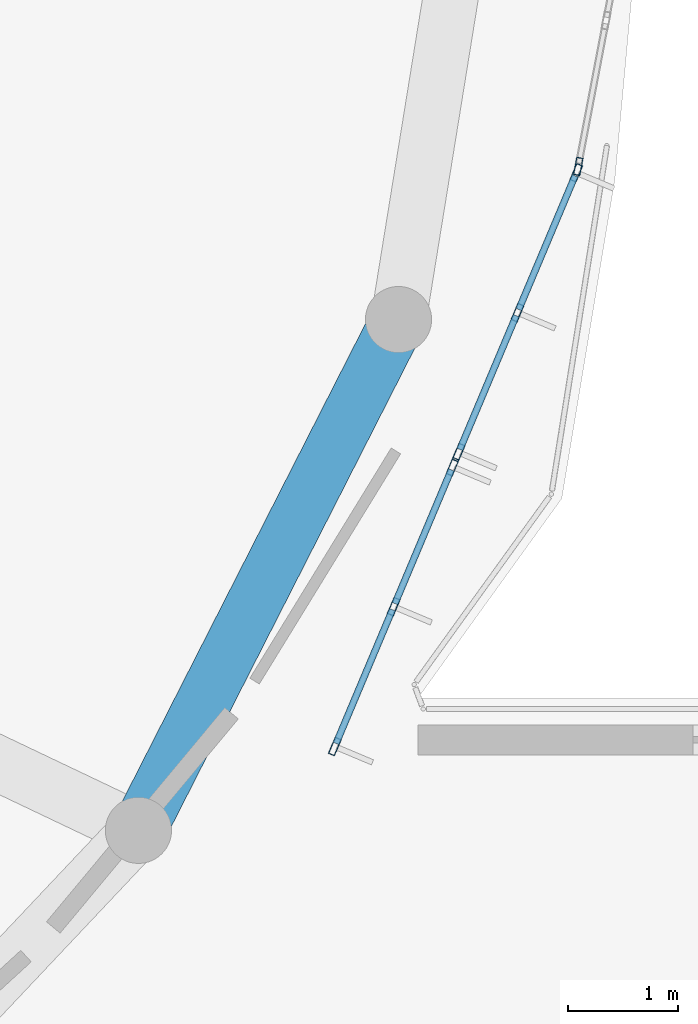
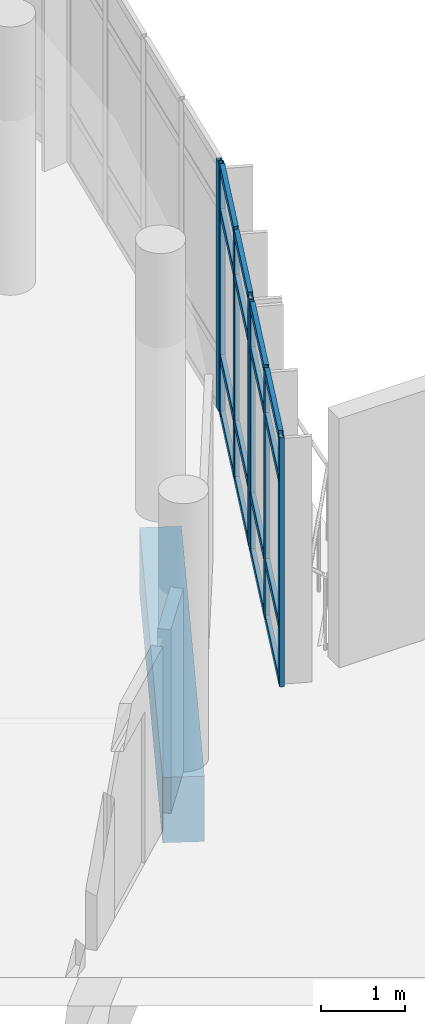
# One storey, part 31 of 74: 23 members, 1 beam, 3 elements without a shape of their own.
"""IFC4 building model written with IfcOpenShell, lengths in metres."""

from ifc_helpers import new_model, si_unit, derived_unit, direction, frame, origin, origin_2d, place, context, subcontext, project, spatial, rectangle, hollow_rectangle, extrude, material, layer, layer_set, material_profile, profile_set, type_object, element, aggregate, save


model = new_model("IFC4")

# Units and contexts
model_context = context("Model", 3, precision=1e-05, world=origin(), true_north=direction((0.0, 1.0)))
body_context = subcontext(model_context, "Body", "Model", "MODEL_VIEW")
ifc_project = project(units=[si_unit("LENGTHUNIT", "METRE"), si_unit("AREAUNIT", "SQUARE_METRE"), si_unit("VOLUMEUNIT", "CUBIC_METRE"), si_unit("PLANEANGLEUNIT", "RADIAN"), si_unit("MASSUNIT", "GRAM", prefix="KILO"), derived_unit("THERMALTRANSMITTANCEUNIT", [(si_unit("POWERUNIT", "WATT"), 1), (si_unit("LENGTHUNIT", "METRE"), -2), (si_unit("THERMODYNAMICTEMPERATUREUNIT", "KELVIN"), -1)])], contexts=[model_context])

# Site, building, storey
site_placement = place(None, origin())
site = spatial("IfcSite", under=ifc_project, at=site_placement, CompositionType="ELEMENT")
building_placement = place(site_placement, origin())
building = spatial("IfcBuilding", under=site, at=building_placement, Name="Elbkamm Science Centre", CompositionType="ELEMENT")
storey_placement = place(building_placement, frame((0.0, 0.0, 14.39990234375)))
storey = spatial("IfcBuildingStorey", under=building, at=storey_placement, Name="L03", CompositionType="ELEMENT", Elevation=14.39990234375)

# Beam
ifc_material_1 = material(Name="Concrete C40/50", Category="concrete")
ifc_material_profile_1 = material_profile(ifc_material_1, rectangle(XDim=0.5, YDim=0.949951171875, at=origin_2d()), Name="RC 500x950")
ifc_profile_set_1 = profile_set([ifc_material_profile_1], Name="Concrete C40/50")
beam_type = type_object("IfcBeamType", Name="BM-RC-500x950", PredefinedType="BEAM", material=ifc_profile_set_1)
beam_placement = place(storey_placement, frame((83.43798828125, 57.60009765625, -0.7548828125), z_axis=(0.45374138036, 0.891133412991, 0.0), x_axis=(-0.891133412991, 0.45374138036, 0.0)))
element("IfcBeam", 1, at=beam_placement, inside=storey, type_object=beam_type, Name="L03 Elliptical Shell Perimeter Ring Beam 23", PredefinedType="SPANDREL", context=body_context, shape_type="SweptSolid", body=[
    extrude(rectangle(XDim=0.5, YDim=0.949951171875, at=origin_2d()), origin(), (0.0, 0.0, 1.0), 5.196533203125),
])

# Curtain wall, members
ifc_material_2 = material(Name="Powder-coated aluminium and triple low-E glazing", Category="aluminium")
ifc_layer_1 = layer(ifc_material_2, 0.159912109375)
ifc_layer_set_1 = layer_set([ifc_layer_1], Name="Powder-coated aluminium and triple low-E glazing")
curtain_wall_type_1 = type_object("IfcCurtainWallType", Name="CW-UNIT-2820x3620", PredefinedType="USERDEFINED", material=ifc_layer_set_1)
curtain_wall_1_placement = place(storey_placement, origin())
curtain_wall_1 = element("IfcCurtainWall", 2, at=curtain_wall_1_placement, inside=storey, type_object=curtain_wall_type_1, Name="L03 Unitised Curtain Wall 072", ObjectType="UNITISED CURTAIN WALL", PredefinedType="USERDEFINED")
ifc_material_3 = material(Name="Powder-coated aluminium EN AW-6060", Category="aluminium")
ifc_material_profile_2 = material_profile(ifc_material_3, hollow_rectangle(XDim=0.06005859375, YDim=0.159912109375, WallThickness=0.00390625, at=origin_2d()), Name="ALU M60x160")
ifc_profile_set_2 = profile_set([ifc_material_profile_2], Name="Powder-coated aluminium EN AW-6060")
member_type_1 = type_object("IfcMemberType", Name="CW-MUL-60x160", PredefinedType="MULLION", material=ifc_profile_set_2)
member_1_placement = place(storey_placement, frame((85.218505859375, 58.360107421875, 0.0), z_axis=(0.0, 0.0, 1.0), x_axis=(-0.921676870358, 0.387958434175, 0.0)))
member_1 = element("IfcMember", 3, at=member_1_placement, type_object=member_type_1, Name="CW-021 mullion 1", PredefinedType="MULLION", context=body_context, shape_type="SweptSolid", body=[
    extrude(hollow_rectangle(XDim=0.06005859375, YDim=0.159912109375, WallThickness=0.00390625, at=origin_2d()), origin(), (0.0, 0.0, 1.0), 3.6201171875),
])
member_2_placement = place(storey_placement, frame((85.752197265625, 59.62841796875, 0.0), z_axis=(0.0, 0.0, 1.0), x_axis=(-0.921676870358, 0.387958434175, 0.0)))
member_2 = element("IfcMember", 4, at=member_2_placement, type_object=member_type_1, Name="CW-021 mullion 2", PredefinedType="MULLION", context=body_context, shape_type="SweptSolid", body=[
    extrude(hollow_rectangle(XDim=0.06005859375, YDim=0.159912109375, WallThickness=0.00390625, at=origin_2d()), origin(), (0.0, 0.0, 1.0), 3.6201171875),
])
member_3_placement = place(storey_placement, frame((86.2861328125, 60.896728515625, 0.0), z_axis=(0.0, 0.0, 1.0), x_axis=(-0.921676870358, 0.387958434175, 0.0)))
member_3 = element("IfcMember", 5, at=member_3_placement, type_object=member_type_1, Name="CW-021 mullion 3", PredefinedType="MULLION", context=body_context, shape_type="SweptSolid", body=[
    extrude(hollow_rectangle(XDim=0.06005859375, YDim=0.159912109375, WallThickness=0.00390625, at=origin_2d()), origin(), (0.0, 0.0, 1.0), 3.6201171875),
])

curtain_wall_2_placement = place(storey_placement, origin())
curtain_wall_2 = element("IfcCurtainWall", 6, at=curtain_wall_2_placement, inside=storey, type_object=curtain_wall_type_1, Name="L03 Unitised Curtain Wall 073", ObjectType="UNITISED CURTAIN WALL", PredefinedType="USERDEFINED")
member_4_placement = place(storey_placement, frame((86.340576171875, 61.025634765625, 0.0), z_axis=(0.0, 0.0, 1.0), x_axis=(-0.921676870358, 0.387958434175, 0.0)))
member_4 = element("IfcMember", 7, at=member_4_placement, type_object=member_type_1, Name="CW-021 mullion 1", PredefinedType="MULLION", context=body_context, shape_type="SweptSolid", body=[
    extrude(hollow_rectangle(XDim=0.06005859375, YDim=0.159912109375, WallThickness=0.00390625, at=origin_2d()), origin(), (0.0, 0.0, 1.0), 3.6201171875),
])
member_5_placement = place(storey_placement, frame((86.87451171875, 62.2939453125, 0.0), z_axis=(0.0, 0.0, 1.0), x_axis=(-0.921676870358, 0.387958434175, 0.0)))
member_5 = element("IfcMember", 8, at=member_5_placement, type_object=member_type_1, Name="CW-021 mullion 2", PredefinedType="MULLION", context=body_context, shape_type="SweptSolid", body=[
    extrude(hollow_rectangle(XDim=0.06005859375, YDim=0.159912109375, WallThickness=0.00390625, at=origin_2d()), origin(), (0.0, 0.0, 1.0), 3.6201171875),
])
member_6_placement = place(storey_placement, frame((87.408203125, 63.562255859375, 0.0), z_axis=(0.0, 0.0, 1.0), x_axis=(-0.921676870358, 0.387958434175, 0.0)))
member_6 = element("IfcMember", 9, at=member_6_placement, type_object=member_type_1, Name="CW-021 mullion 3", PredefinedType="MULLION", context=body_context, shape_type="SweptSolid", body=[
    extrude(hollow_rectangle(XDim=0.06005859375, YDim=0.159912109375, WallThickness=0.00390625, at=origin_2d()), origin(), (0.0, 0.0, 1.0), 3.6201171875),
])

# Curtain wall, member
ifc_layer_2 = layer(ifc_material_2, 0.159912109375)
ifc_layer_set_2 = layer_set([ifc_layer_2], Name="Powder-coated aluminium and triple low-E glazing")
curtain_wall_type_2 = type_object("IfcCurtainWallType", Name="CW-UNIT-5500x3620", PredefinedType="USERDEFINED", material=ifc_layer_set_2)
curtain_wall_3_placement = place(storey_placement, origin())
curtain_wall_3 = element("IfcCurtainWall", 10, at=curtain_wall_3_placement, inside=storey, type_object=curtain_wall_type_2, Name="L03 Unitised Curtain Wall 074", ObjectType="UNITISED CURTAIN WALL", PredefinedType="USERDEFINED")
member_7_placement = place(storey_placement, frame((87.425537109375, 63.619384765625, 0.0), z_axis=(0.0, 0.0, 1.0), x_axis=(-0.982351119893, 0.187046190138, 0.0)))
member_7 = element("IfcMember", 11, at=member_7_placement, type_object=member_type_1, Name="CW-031 mullion 1", PredefinedType="MULLION", context=body_context, shape_type="SweptSolid", body=[
    extrude(hollow_rectangle(XDim=0.06005859375, YDim=0.159912109375, WallThickness=0.00390625, at=origin_2d()), origin(), (0.0, 0.0, 1.0), 3.6201171875),
])
aggregate(curtain_wall_3, [member_7])

# Member
ifc_material_profile_3 = material_profile(ifc_material_3, hollow_rectangle(XDim=0.06005859375, YDim=0.1201171875, WallThickness=0.00341796875, at=origin_2d()), Name="ALU T60x120")
ifc_profile_set_3 = profile_set([ifc_material_profile_3], Name="Powder-coated aluminium EN AW-6060")
member_type_2 = type_object("IfcMemberType", Name="CW-TRN-60x120", PredefinedType="USERDEFINED", material=ifc_profile_set_3)
member_8_placement = place(storey_placement, frame((85.22998046875, 58.3876953125, 0.030029296875), z_axis=(0.388023831647, 0.921649340082, 0.0), x_axis=(-0.921649340082, 0.388023831647, 0.0)))
member_8 = element("IfcMember", 12, at=member_8_placement, type_object=member_type_2, Name="CW-021 transom 1.1", ObjectType="TRANSOM", PredefinedType="USERDEFINED", context=body_context, shape_type="SweptSolid", body=[
    extrude(hollow_rectangle(XDim=0.06005859375, YDim=0.1201171875, WallThickness=0.00341796875, at=origin_2d()), origin(), (0.0, 0.0, 1.0), 1.316162109375),
])

member_9_placement = place(storey_placement, frame((85.22998046875, 58.3876953125, 0.85009765625), z_axis=(0.388023831647, 0.921649340082, 0.0), x_axis=(-0.921649340082, 0.388023831647, 0.0)))
member_9 = element("IfcMember", 13, at=member_9_placement, type_object=member_type_2, Name="CW-021 transom 1.2", ObjectType="TRANSOM", PredefinedType="USERDEFINED", context=body_context, shape_type="SweptSolid", body=[
    extrude(hollow_rectangle(XDim=0.06005859375, YDim=0.1201171875, WallThickness=0.00341796875, at=origin_2d()), origin(), (0.0, 0.0, 1.0), 1.316162109375),
])

member_10_placement = place(storey_placement, frame((85.22998046875, 58.3876953125, 2.97021484375), z_axis=(0.388023831647, 0.921649340082, 0.0), x_axis=(-0.921649340082, 0.388023831647, 0.0)))
member_10 = element("IfcMember", 14, at=member_10_placement, type_object=member_type_2, Name="CW-021 transom 1.3", ObjectType="TRANSOM", PredefinedType="USERDEFINED", context=body_context, shape_type="SweptSolid", body=[
    extrude(hollow_rectangle(XDim=0.06005859375, YDim=0.1201171875, WallThickness=0.00341796875, at=origin_2d()), origin(), (0.0, 0.0, 1.0), 1.316162109375),
])

member_11_placement = place(storey_placement, frame((85.22998046875, 58.3876953125, 3.590087890625), z_axis=(0.388023831647, 0.921649340082, 0.0), x_axis=(-0.921649340082, 0.388023831647, 0.0)))
member_11 = element("IfcMember", 15, at=member_11_placement, type_object=member_type_2, Name="CW-021 transom 1.4", ObjectType="TRANSOM", PredefinedType="USERDEFINED", context=body_context, shape_type="SweptSolid", body=[
    extrude(hollow_rectangle(XDim=0.06005859375, YDim=0.1201171875, WallThickness=0.00341796875, at=origin_2d()), origin(), (0.0, 0.0, 1.0), 1.316162109375),
])

member_12_placement = place(storey_placement, frame((85.763916015625, 59.656005859375, 0.030029296875), z_axis=(0.387866261103, 0.921715663042, 0.0), x_axis=(-0.921715663042, 0.387866261103, 0.0)))
member_12 = element("IfcMember", 16, at=member_12_placement, type_object=member_type_2, Name="CW-021 transom 2.1", ObjectType="TRANSOM", PredefinedType="USERDEFINED", context=body_context, shape_type="SweptSolid", body=[
    extrude(hollow_rectangle(XDim=0.06005859375, YDim=0.1201171875, WallThickness=0.00341796875, at=origin_2d()), origin(), (0.0, 0.0, 1.0), 1.316162109375),
])

member_13_placement = place(storey_placement, frame((85.763916015625, 59.656005859375, 0.85009765625), z_axis=(0.387866261103, 0.921715663042, 0.0), x_axis=(-0.921715663042, 0.387866261103, 0.0)))
member_13 = element("IfcMember", 17, at=member_13_placement, type_object=member_type_2, Name="CW-021 transom 2.2", ObjectType="TRANSOM", PredefinedType="USERDEFINED", context=body_context, shape_type="SweptSolid", body=[
    extrude(hollow_rectangle(XDim=0.06005859375, YDim=0.1201171875, WallThickness=0.00341796875, at=origin_2d()), origin(), (0.0, 0.0, 1.0), 1.316162109375),
])

member_14_placement = place(storey_placement, frame((85.763916015625, 59.656005859375, 2.97021484375), z_axis=(0.387866261103, 0.921715663042, 0.0), x_axis=(-0.921715663042, 0.387866261103, 0.0)))
member_14 = element("IfcMember", 18, at=member_14_placement, type_object=member_type_2, Name="CW-021 transom 2.3", ObjectType="TRANSOM", PredefinedType="USERDEFINED", context=body_context, shape_type="SweptSolid", body=[
    extrude(hollow_rectangle(XDim=0.06005859375, YDim=0.1201171875, WallThickness=0.00341796875, at=origin_2d()), origin(), (0.0, 0.0, 1.0), 1.316162109375),
])

member_15_placement = place(storey_placement, frame((85.763916015625, 59.656005859375, 3.590087890625), z_axis=(0.387866261103, 0.921715663042, 0.0), x_axis=(-0.921715663042, 0.387866261103, 0.0)))
member_15 = element("IfcMember", 19, at=member_15_placement, type_object=member_type_2, Name="CW-021 transom 2.4", ObjectType="TRANSOM", PredefinedType="USERDEFINED", context=body_context, shape_type="SweptSolid", body=[
    extrude(hollow_rectangle(XDim=0.06005859375, YDim=0.1201171875, WallThickness=0.00341796875, at=origin_2d()), origin(), (0.0, 0.0, 1.0), 1.316162109375),
])

aggregate(curtain_wall_1, [member_1, member_2, member_3, member_8, member_9, member_10, member_11, member_12, member_13, member_14, member_15])

member_16_placement = place(storey_placement, frame((86.352294921875, 61.053466796875, 0.030029296875), z_axis=(0.387932585701, 0.921687750245, 0.0), x_axis=(-0.921687750245, 0.387932585701, 0.0)))
member_16 = element("IfcMember", 20, at=member_16_placement, type_object=member_type_2, Name="CW-021 transom 1.1", ObjectType="TRANSOM", PredefinedType="USERDEFINED", context=body_context, shape_type="SweptSolid", body=[
    extrude(hollow_rectangle(XDim=0.06005859375, YDim=0.1201171875, WallThickness=0.00341796875, at=origin_2d()), origin(), (0.0, 0.0, 1.0), 1.31591796875),
])

member_17_placement = place(storey_placement, frame((86.352294921875, 61.053466796875, 0.85009765625), z_axis=(0.387932585701, 0.921687750245, 0.0), x_axis=(-0.921687750245, 0.387932585701, 0.0)))
member_17 = element("IfcMember", 21, at=member_17_placement, type_object=member_type_2, Name="CW-021 transom 1.2", ObjectType="TRANSOM", PredefinedType="USERDEFINED", context=body_context, shape_type="SweptSolid", body=[
    extrude(hollow_rectangle(XDim=0.06005859375, YDim=0.1201171875, WallThickness=0.00341796875, at=origin_2d()), origin(), (0.0, 0.0, 1.0), 1.31591796875),
])

member_18_placement = place(storey_placement, frame((86.352294921875, 61.053466796875, 2.97021484375), z_axis=(0.387932585701, 0.921687750245, 0.0), x_axis=(-0.921687750245, 0.387932585701, 0.0)))
member_18 = element("IfcMember", 22, at=member_18_placement, type_object=member_type_2, Name="CW-021 transom 1.3", ObjectType="TRANSOM", PredefinedType="USERDEFINED", context=body_context, shape_type="SweptSolid", body=[
    extrude(hollow_rectangle(XDim=0.06005859375, YDim=0.1201171875, WallThickness=0.00341796875, at=origin_2d()), origin(), (0.0, 0.0, 1.0), 1.31591796875),
])

member_19_placement = place(storey_placement, frame((86.352294921875, 61.053466796875, 3.590087890625), z_axis=(0.387932585701, 0.921687750245, 0.0), x_axis=(-0.921687750245, 0.387932585701, 0.0)))
member_19 = element("IfcMember", 23, at=member_19_placement, type_object=member_type_2, Name="CW-021 transom 1.4", ObjectType="TRANSOM", PredefinedType="USERDEFINED", context=body_context, shape_type="SweptSolid", body=[
    extrude(hollow_rectangle(XDim=0.06005859375, YDim=0.1201171875, WallThickness=0.00341796875, at=origin_2d()), origin(), (0.0, 0.0, 1.0), 1.31591796875),
])

member_20_placement = place(storey_placement, frame((86.885986328125, 62.32177734375, 0.030029296875), z_axis=(0.388090173638, 0.921621406612, 0.0), x_axis=(-0.921621406612, 0.388090173638, 0.0)))
member_20 = element("IfcMember", 24, at=member_20_placement, type_object=member_type_2, Name="CW-021 transom 2.1", ObjectType="TRANSOM", PredefinedType="USERDEFINED", context=body_context, shape_type="SweptSolid", body=[
    extrude(hollow_rectangle(XDim=0.06005859375, YDim=0.1201171875, WallThickness=0.00341796875, at=origin_2d()), origin(), (0.0, 0.0, 1.0), 1.31591796875),
])

member_21_placement = place(storey_placement, frame((86.885986328125, 62.32177734375, 0.85009765625), z_axis=(0.388090173638, 0.921621406612, 0.0), x_axis=(-0.921621406612, 0.388090173638, 0.0)))
member_21 = element("IfcMember", 25, at=member_21_placement, type_object=member_type_2, Name="CW-021 transom 2.2", ObjectType="TRANSOM", PredefinedType="USERDEFINED", context=body_context, shape_type="SweptSolid", body=[
    extrude(hollow_rectangle(XDim=0.06005859375, YDim=0.1201171875, WallThickness=0.00341796875, at=origin_2d()), origin(), (0.0, 0.0, 1.0), 1.31591796875),
])

member_22_placement = place(storey_placement, frame((86.885986328125, 62.32177734375, 2.97021484375), z_axis=(0.388090173638, 0.921621406612, 0.0), x_axis=(-0.921621406612, 0.388090173638, 0.0)))
member_22 = element("IfcMember", 26, at=member_22_placement, type_object=member_type_2, Name="CW-021 transom 2.3", ObjectType="TRANSOM", PredefinedType="USERDEFINED", context=body_context, shape_type="SweptSolid", body=[
    extrude(hollow_rectangle(XDim=0.06005859375, YDim=0.1201171875, WallThickness=0.00341796875, at=origin_2d()), origin(), (0.0, 0.0, 1.0), 1.31591796875),
])

member_23_placement = place(storey_placement, frame((86.885986328125, 62.32177734375, 3.590087890625), z_axis=(0.388090173638, 0.921621406612, 0.0), x_axis=(-0.921621406612, 0.388090173638, 0.0)))
member_23 = element("IfcMember", 27, at=member_23_placement, type_object=member_type_2, Name="CW-021 transom 2.4", ObjectType="TRANSOM", PredefinedType="USERDEFINED", context=body_context, shape_type="SweptSolid", body=[
    extrude(hollow_rectangle(XDim=0.06005859375, YDim=0.1201171875, WallThickness=0.00341796875, at=origin_2d()), origin(), (0.0, 0.0, 1.0), 1.31591796875),
])

aggregate(curtain_wall_2, [member_4, member_5, member_6, member_16, member_17, member_18, member_19, member_20, member_21, member_22, member_23])

save(model, "model.ifc")
